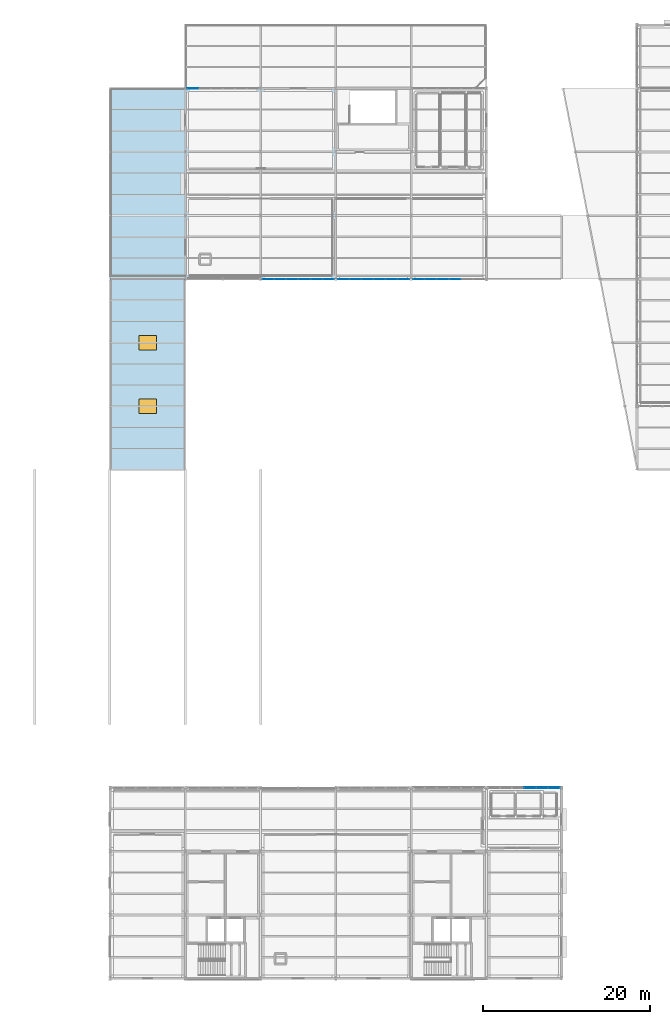
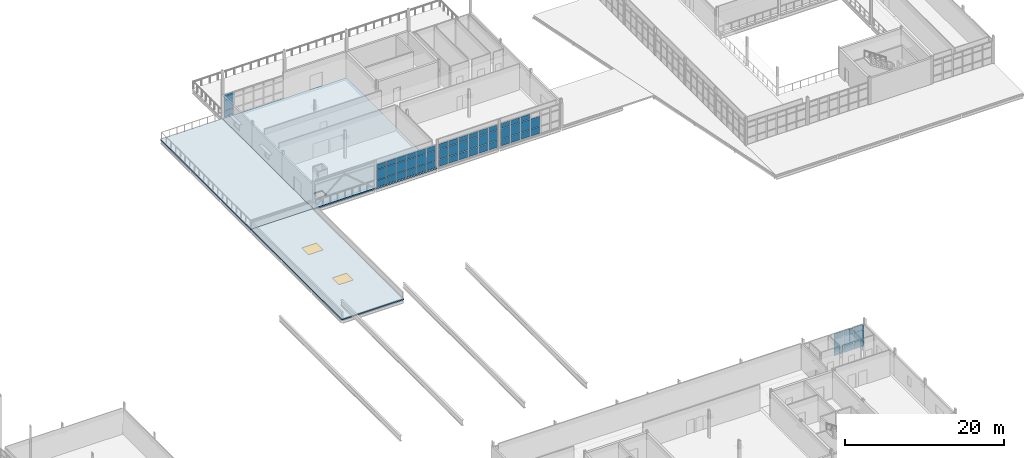
# One storey, part 70 of 96: 59 plates, 3 slabs, 2 windows, 2 openings, 5 elements without a shape of their own.
"""IFC4 building model written with IfcOpenShell, lengths in metres."""

import ifcopenshell
import ifcopenshell.guid

model = None  # the IFC model being written
_history = None  # IfcOwnerHistory: only IFC2X3 demands one
_inside = {}  # id of a spatial element -> (the spatial element, [elements in it])
_under = {}  # id of a project, library or spatial element -> (it, [spatial elements below it])
_declared = {}  # id of a project -> (the project, [libraries it declares])
_typed = {}  # id of a type object -> (the type object, [elements of that type])
_made_of = {}  # id of a material, layer set ... -> (it, [elements and type objects made of it])


def new_model(schema):
    """Start an empty IFC model of exactly this schema.

    Asked for "IFC4X3", IfcOpenShell would pick the latest addendum, in which some entities
    have other attributes; the version numbers below select the first issue.
    IFC2X3 requires an IfcOwnerHistory on every rooted entity: one is made here for all.
    """
    global model, _history
    if schema == "IFC4X3":
        model = ifcopenshell.file(schema_version=(4, 3, 0, 0))
    else:
        model = ifcopenshell.file(schema=schema)
    _inside.clear()
    _under.clear()
    _declared.clear()
    _typed.clear()
    _made_of.clear()
    _history = None
    if model.schema == "IFC2X3":
        org = make("IfcOrganization", Name="unknown")
        user = make(
            "IfcPersonAndOrganization",
            ThePerson=make("IfcPerson", FamilyName="unknown"),
            TheOrganization=org,
        )
        app = make(
            "IfcApplication",
            ApplicationDeveloper=org,
            Version="unknown",
            ApplicationFullName="unknown",
            ApplicationIdentifier="unknown",
        )
        _history = make(
            "IfcOwnerHistory",
            OwningUser=user,
            OwningApplication=app,
            ChangeAction="ADDED",
            CreationDate=0,
        )
    return model


def make(cls, **values):
    """One entity of the class cls with the attributes given. An attribute that is None is left unset."""
    return model.create_entity(
        cls, **{name: value for name, value in values.items() if value is not None}
    )


def rooted(cls, **values):
    """An entity with a GlobalId (a new one), such as an element, a storey or a relation."""
    return make(cls, GlobalId=ifcopenshell.guid.new(), OwnerHistory=_history, **values)


def si_unit(unit_type, name, prefix=None):
    """IfcSIUnit, for example si_unit("LENGTHUNIT", "METRE", prefix="MILLI")."""
    return make("IfcSIUnit", UnitType=unit_type, Prefix=prefix, Name=name)


def assignment(units):
    """IfcUnitAssignment: the units of a project."""
    return None if units is None else make("IfcUnitAssignment", Units=units)


def point(xyz):
    """IfcCartesianPoint."""
    return None if xyz is None else make("IfcCartesianPoint", Coordinates=xyz)


def direction(xyz):
    """IfcDirection."""
    return None if xyz is None else make("IfcDirection", DirectionRatios=xyz)


def frame(location, z_axis=None, x_axis=None):
    """IfcAxis2Placement3D, a coordinate frame: its origin and axes. An axis left out is left unset."""
    return make(
        "IfcAxis2Placement3D",
        Location=point(location),
        Axis=direction(z_axis),
        RefDirection=direction(x_axis),
    )


def frame_2d(location, x_axis=None):
    """IfcAxis2Placement2D, a coordinate frame in the plane: its origin and x axis."""
    return make(
        "IfcAxis2Placement2D", Location=point(location), RefDirection=direction(x_axis)
    )


def origin():
    """The frame at (0, 0, 0) with its axes left unset."""
    return frame((0.0, 0.0, 0.0))


def origin_2d():
    """The frame at (0, 0) in the plane with its x axis left unset."""
    return frame_2d((0.0, 0.0))


def place(relative_to, where):
    """IfcLocalPlacement: puts the frame where relative to a parent placement (None: the world)."""
    return make(
        "IfcLocalPlacement", PlacementRelTo=relative_to, RelativePlacement=where
    )


def context(
    kind, dimensions, precision=None, world=None, true_north=None, identifier=None
):
    """IfcGeometricRepresentationContext, for example the 3D "Model" context."""
    return make(
        "IfcGeometricRepresentationContext",
        ContextIdentifier=identifier,
        ContextType=kind,
        CoordinateSpaceDimension=dimensions,
        Precision=precision,
        WorldCoordinateSystem=world,
        TrueNorth=true_north,
    )


def subcontext(parent, identifier, kind, view, scale=None):
    """IfcGeometricRepresentationSubContext, for example "Body" below "Model"."""
    return make(
        "IfcGeometricRepresentationSubContext",
        ContextIdentifier=identifier,
        ContextType=kind,
        ParentContext=parent,
        TargetScale=scale,
        TargetView=view,
    )


def project(units=None, contexts=None):
    """IfcProject with its units and contexts."""
    return rooted(
        "IfcProject",
        Name="project",
        RepresentationContexts=contexts,
        UnitsInContext=assignment(units),
    )


def spatial(cls, under=None, at=None, **own):
    """A site, building, storey or space (cls), placed at a placement, below another one or the project."""
    s = rooted(cls, ObjectPlacement=at, **own)
    if under is not None:
        _under.setdefault(under.id(), (under, []))[1].append(s)
    return s


def polyline(points):
    """IfcPolyline through the points."""
    return make("IfcPolyline", Points=[point(p) for p in points])


def profile(cls, at=None, kind="AREA", **sizes):
    """A parametric profile (cls). Its sizes go by their IFC names, for example OverallWidth=200.0."""
    return make(cls, ProfileType=kind, Position=at, **sizes)


def rectangle(**sizes):
    """IfcRectangleProfileDef."""
    return profile("IfcRectangleProfileDef", **sizes)


def outline(outer, holes=None, kind="AREA"):
    """IfcArbitraryClosedProfileDef: a profile drawn as a closed curve; with holes, ...WithVoids."""
    if holes is None:
        return make("IfcArbitraryClosedProfileDef", ProfileType=kind, OuterCurve=outer)
    return make(
        "IfcArbitraryProfileDefWithVoids",
        ProfileType=kind,
        OuterCurve=outer,
        InnerCurves=holes,
    )


def extrude(swept, where, along, depth):
    """IfcExtrudedAreaSolid: the profile swept, set in the frame where, extruded along a direction by depth."""
    return make(
        "IfcExtrudedAreaSolid",
        SweptArea=swept,
        Position=where,
        ExtrudedDirection=direction(along),
        Depth=depth,
    )


def shape(context_of_items, identifier, shape_type, items):
    """IfcShapeRepresentation: the items that make up one representation, for example the "Body"."""
    return make(
        "IfcShapeRepresentation",
        ContextOfItems=context_of_items,
        RepresentationIdentifier=identifier,
        RepresentationType=shape_type,
        Items=items,
    )


def material(Name=None, Category=None):
    """IfcMaterial."""
    return make("IfcMaterial", Name=Name, Category=Category)


def layer(
    of_material, thickness, ventilated=None, Name=None, Category=None, Priority=None
):
    """IfcMaterialLayer: one layer of a wall or slab, of a material (None: an air gap)."""
    return make(
        "IfcMaterialLayer",
        Material=of_material,
        LayerThickness=thickness,
        IsVentilated=ventilated,
        Name=Name,
        Category=Category,
        Priority=Priority,
    )


def layer_set(layers, Name=None):
    """IfcMaterialLayerSet."""
    return make("IfcMaterialLayerSet", MaterialLayers=layers, LayerSetName=Name)


def made_of(thing, what):
    """Note that an element or type object is made of a material, layer set ...; save() writes the relation."""
    if what is not None:
        _made_of.setdefault(what.id(), (what, []))[1].append(thing)
    return thing


def type_object(cls, material=None, **own):
    """A type object (cls), such as IfcWallType, which elements share."""
    return made_of(rooted(cls, **own), material)


def element(
    cls,
    number,
    at=None,
    inside=None,
    cuts=None,
    type_object=None,
    material=None,
    context=None,
    identifier="Body",
    shape_type=None,
    held_by="IfcProductDefinitionShape",
    body=None,
    shapes=None,
    **own,
):
    """One element of the class cls, such as IfcWall. Its Tag is "e" and its number.

    at: its placement. inside: the storey or other place that contains it. cuts: it is an
    opening in that element (IfcRelVoidsElement). A single representation is given by context,
    identifier, shape_type and body (its items); several are given by shapes. held_by: the class
    of the entity that holds the representations. save() writes the other relations.
    """
    e = rooted(cls, Tag="e%d" % number, ObjectPlacement=at, **own)
    if body is not None:
        shapes = [shape(context, identifier, shape_type, body)]
    if shapes is not None:
        e.Representation = make(held_by, Representations=shapes)
    if inside is not None:
        _inside.setdefault(inside.id(), (inside, []))[1].append(e)
    if cuts is not None:
        rooted(
            "IfcRelVoidsElement", RelatingBuildingElement=cuts, RelatedOpeningElement=e
        )
    if type_object is not None:
        _typed.setdefault(type_object.id(), (type_object, []))[1].append(e)
    return made_of(e, material)


def fill(opening, filler):
    """IfcRelFillsElement: the door or window that sits in an opening."""
    return rooted(
        "IfcRelFillsElement",
        RelatingOpeningElement=opening,
        RelatedBuildingElement=filler,
    )


def aggregate(whole, parts):
    """IfcRelAggregates: a whole, such as a stair, and the parts it consists of."""
    return rooted("IfcRelAggregates", RelatingObject=whole, RelatedObjects=parts)


def save(model, path):
    """Write the relations noted so far, then the file.

    IfcRelAggregates (storeys below a building ...), IfcRelContainedInSpatialStructure (elements
    in a storey), IfcRelDefinesByType, IfcRelAssociatesMaterial and IfcRelDeclares: one each for
    every whole, place, type object, material and project.
    """
    for whole, parts in _under.values():
        aggregate(whole, parts)
    for where, things in _inside.values():
        rooted(
            "IfcRelContainedInSpatialStructure",
            RelatedElements=things,
            RelatingStructure=where,
        )
    for kind, things in _typed.values():
        rooted("IfcRelDefinesByType", RelatedObjects=things, RelatingType=kind)
    for what, things in _made_of.values():
        rooted("IfcRelAssociatesMaterial", RelatedObjects=things, RelatingMaterial=what)
    for by, libraries in _declared.values():
        rooted("IfcRelDeclares", RelatingContext=by, RelatedDefinitions=libraries)
    model.write(path)


model = new_model("IFC4")

# Units and contexts
model_context = context("Model", 3, precision=1e-05, world=origin(), true_north=direction((0.0, 1.0)))
body_context = subcontext(model_context, "Body", "Model", "MODEL_VIEW")
ifc_project = project(units=[si_unit("LENGTHUNIT", "METRE"), si_unit("AREAUNIT", "SQUARE_METRE"), si_unit("VOLUMEUNIT", "CUBIC_METRE"), si_unit("PLANEANGLEUNIT", "RADIAN"), si_unit("MASSUNIT", "GRAM", prefix="KILO")], contexts=[model_context])

# Site, building, storey
site_placement = place(None, origin())
site = spatial("IfcSite", under=ifc_project, at=site_placement, CompositionType="ELEMENT")
building_placement = place(site_placement, origin())
building = spatial("IfcBuilding", under=site, at=building_placement, Name="Caisbarro Railhouse Central Library", CompositionType="ELEMENT")
storey_placement = place(building_placement, frame((0.0, 0.0, 13.679931640625)))
storey = spatial("IfcBuildingStorey", under=building, at=storey_placement, Name="L03", CompositionType="ELEMENT", Elevation=13.679931640625)

# Curtain wall, plates
ifc_material_1 = material(Name="Anodised architectural aluminium", Category="aluminium")
curtain_wall_type_1 = type_object("IfcCurtainWallType", Name="CW-CW02", PredefinedType="NOTDEFINED", material=ifc_material_1)
curtain_wall_1_placement = place(storey_placement, origin())
curtain_wall_1 = element("IfcCurtainWall", 1, at=curtain_wall_1_placement, inside=storey, type_object=curtain_wall_type_1, Name="CW02 curtain wall L03 #188", PredefinedType="NOTDEFINED")
ifc_material_2 = material(Name="Double low-e laminated solar-control glass", Category="glass")
ifc_layer_1 = layer(ifc_material_2, 0.01806640625, Name="Double low-e laminated solar-control glass")
ifc_layer_set_1 = layer_set([ifc_layer_1], Name="Double low-e laminated solar-control glass")
plate_type_1 = type_object("IfcPlateType", Name="CWP-CP18", PredefinedType="CURTAIN_PANEL", material=ifc_layer_set_1)
plate_1_placement = place(storey_placement, frame((72.902099609375, 83.60009765625, 0.065185546875), z_axis=(0.0, 0.0, 1.0), x_axis=(1.0, 0.0, 0.0)))
plate_1 = element("IfcPlate", 2, at=plate_1_placement, type_object=plate_type_1, Name="CW02 panel 1.1", PredefinedType="CURTAIN_PANEL", context=body_context, shape_type="SweptSolid", body=[
    extrude(rectangle(XDim=1.334228515625, YDim=0.01806640625, at=origin_2d()), origin(), (0.0, 0.0, 1.0), 1.0224609375),
])
plate_2_placement = place(storey_placement, frame((72.902099609375, 83.60009765625, 1.152587890625), z_axis=(0.0, 0.0, 1.0), x_axis=(1.0, 0.0, 0.0)))
plate_2 = element("IfcPlate", 3, at=plate_2_placement, type_object=plate_type_1, Name="CW02 panel 1.2", PredefinedType="CURTAIN_PANEL", context=body_context, shape_type="SweptSolid", body=[
    extrude(rectangle(XDim=1.334228515625, YDim=0.01806640625, at=origin_2d()), origin(), (0.0, 0.0, 1.0), 1.544921875),
])
plate_3_placement = place(storey_placement, frame((72.902099609375, 83.60009765625, 2.7626953125), z_axis=(0.0, 0.0, 1.0), x_axis=(1.0, 0.0, 0.0)))
plate_3 = element("IfcPlate", 4, at=plate_3_placement, type_object=plate_type_1, Name="CW02 panel 1.3", PredefinedType="CURTAIN_PANEL", context=body_context, shape_type="SweptSolid", body=[
    extrude(rectangle(XDim=1.334228515625, YDim=0.01806640625, at=origin_2d()), origin(), (0.0, 0.0, 1.0), 0.75244140625),
])
plate_4_placement = place(storey_placement, frame((74.330078125, 83.60009765625, 0.065185546875), z_axis=(0.0, 0.0, 1.0), x_axis=(1.0, 0.0, 0.0)))
plate_4 = element("IfcPlate", 5, at=plate_4_placement, type_object=plate_type_1, Name="CW02 panel 2.1", PredefinedType="CURTAIN_PANEL", context=body_context, shape_type="SweptSolid", body=[
    extrude(rectangle(XDim=1.37158203125, YDim=0.01806640625, at=origin_2d()), origin(), (0.0, 0.0, 1.0), 1.0224609375),
])
plate_5_placement = place(storey_placement, frame((74.330078125, 83.60009765625, 1.152587890625), z_axis=(0.0, 0.0, 1.0), x_axis=(1.0, 0.0, 0.0)))
plate_5 = element("IfcPlate", 6, at=plate_5_placement, type_object=plate_type_1, Name="CW02 panel 2.2", PredefinedType="CURTAIN_PANEL", context=body_context, shape_type="SweptSolid", body=[
    extrude(rectangle(XDim=1.37158203125, YDim=0.01806640625, at=origin_2d()), origin(), (0.0, 0.0, 1.0), 1.544921875),
])
plate_6_placement = place(storey_placement, frame((74.330078125, 83.60009765625, 2.7626953125), z_axis=(0.0, 0.0, 1.0), x_axis=(1.0, 0.0, 0.0)))
plate_6 = element("IfcPlate", 7, at=plate_6_placement, type_object=plate_type_1, Name="CW02 panel 2.3", PredefinedType="CURTAIN_PANEL", context=body_context, shape_type="SweptSolid", body=[
    extrude(rectangle(XDim=1.37158203125, YDim=0.01806640625, at=origin_2d()), origin(), (0.0, 0.0, 1.0), 0.75244140625),
])
plate_7_placement = place(storey_placement, frame((75.776611328125, 83.60009765625, 0.065185546875), z_axis=(0.0, 0.0, 1.0), x_axis=(1.0, 0.0, 0.0)))
plate_7 = element("IfcPlate", 8, at=plate_7_placement, type_object=plate_type_1, Name="CW02 panel 3.1", PredefinedType="CURTAIN_PANEL", context=body_context, shape_type="SweptSolid", body=[
    extrude(rectangle(XDim=1.37158203125, YDim=0.01806640625, at=origin_2d()), origin(), (0.0, 0.0, 1.0), 1.0224609375),
])
plate_8_placement = place(storey_placement, frame((75.776611328125, 83.60009765625, 1.152587890625), z_axis=(0.0, 0.0, 1.0), x_axis=(1.0, 0.0, 0.0)))
plate_8 = element("IfcPlate", 9, at=plate_8_placement, type_object=plate_type_1, Name="CW02 panel 3.2", PredefinedType="CURTAIN_PANEL", context=body_context, shape_type="SweptSolid", body=[
    extrude(rectangle(XDim=1.37158203125, YDim=0.01806640625, at=origin_2d()), origin(), (0.0, 0.0, 1.0), 1.544921875),
])
plate_9_placement = place(storey_placement, frame((75.776611328125, 83.60009765625, 2.7626953125), z_axis=(0.0, 0.0, 1.0), x_axis=(1.0, 0.0, 0.0)))
plate_9 = element("IfcPlate", 10, at=plate_9_placement, type_object=plate_type_1, Name="CW02 panel 3.3", PredefinedType="CURTAIN_PANEL", context=body_context, shape_type="SweptSolid", body=[
    extrude(rectangle(XDim=1.37158203125, YDim=0.01806640625, at=origin_2d()), origin(), (0.0, 0.0, 1.0), 0.75244140625),
])
plate_10_placement = place(storey_placement, frame((77.223388671875, 83.60009765625, 0.065185546875), z_axis=(0.0, 0.0, 1.0), x_axis=(1.0, 0.0, 0.0)))
plate_10 = element("IfcPlate", 11, at=plate_10_placement, type_object=plate_type_1, Name="CW02 panel 4.1", PredefinedType="CURTAIN_PANEL", context=body_context, shape_type="SweptSolid", body=[
    extrude(rectangle(XDim=1.37158203125, YDim=0.01806640625, at=origin_2d()), origin(), (0.0, 0.0, 1.0), 1.0224609375),
])
plate_11_placement = place(storey_placement, frame((77.223388671875, 83.60009765625, 1.152587890625), z_axis=(0.0, 0.0, 1.0), x_axis=(1.0, 0.0, 0.0)))
plate_11 = element("IfcPlate", 12, at=plate_11_placement, type_object=plate_type_1, Name="CW02 panel 4.2", PredefinedType="CURTAIN_PANEL", context=body_context, shape_type="SweptSolid", body=[
    extrude(rectangle(XDim=1.37158203125, YDim=0.01806640625, at=origin_2d()), origin(), (0.0, 0.0, 1.0), 1.544921875),
])
plate_12_placement = place(storey_placement, frame((77.223388671875, 83.60009765625, 2.7626953125), z_axis=(0.0, 0.0, 1.0), x_axis=(1.0, 0.0, 0.0)))
plate_12 = element("IfcPlate", 13, at=plate_12_placement, type_object=plate_type_1, Name="CW02 panel 4.3", PredefinedType="CURTAIN_PANEL", context=body_context, shape_type="SweptSolid", body=[
    extrude(rectangle(XDim=1.37158203125, YDim=0.01806640625, at=origin_2d()), origin(), (0.0, 0.0, 1.0), 0.75244140625),
])
plate_13_placement = place(storey_placement, frame((78.669921875, 83.60009765625, 0.065185546875), z_axis=(0.0, 0.0, 1.0), x_axis=(1.0, 0.0, 0.0)))
plate_13 = element("IfcPlate", 14, at=plate_13_placement, type_object=plate_type_1, Name="CW02 panel 5.1", PredefinedType="CURTAIN_PANEL", context=body_context, shape_type="SweptSolid", body=[
    extrude(rectangle(XDim=1.37158203125, YDim=0.01806640625, at=origin_2d()), origin(), (0.0, 0.0, 1.0), 1.0224609375),
])
plate_14_placement = place(storey_placement, frame((78.669921875, 83.60009765625, 1.152587890625), z_axis=(0.0, 0.0, 1.0), x_axis=(1.0, 0.0, 0.0)))
plate_14 = element("IfcPlate", 15, at=plate_14_placement, type_object=plate_type_1, Name="CW02 panel 5.2", PredefinedType="CURTAIN_PANEL", context=body_context, shape_type="SweptSolid", body=[
    extrude(rectangle(XDim=1.37158203125, YDim=0.01806640625, at=origin_2d()), origin(), (0.0, 0.0, 1.0), 1.544921875),
])
plate_15_placement = place(storey_placement, frame((78.669921875, 83.60009765625, 2.7626953125), z_axis=(0.0, 0.0, 1.0), x_axis=(1.0, 0.0, 0.0)))
plate_15 = element("IfcPlate", 16, at=plate_15_placement, type_object=plate_type_1, Name="CW02 panel 5.3", PredefinedType="CURTAIN_PANEL", context=body_context, shape_type="SweptSolid", body=[
    extrude(rectangle(XDim=1.37158203125, YDim=0.01806640625, at=origin_2d()), origin(), (0.0, 0.0, 1.0), 0.75244140625),
])
plate_16_placement = place(storey_placement, frame((80.097900390625, 83.60009765625, 0.065185546875), z_axis=(0.0, 0.0, 1.0), x_axis=(1.0, 0.0, 0.0)))
plate_16 = element("IfcPlate", 17, at=plate_16_placement, type_object=plate_type_1, Name="CW02 panel 6.1", PredefinedType="CURTAIN_PANEL", context=body_context, shape_type="SweptSolid", body=[
    extrude(rectangle(XDim=1.334228515625, YDim=0.01806640625, at=origin_2d()), origin(), (0.0, 0.0, 1.0), 1.0224609375),
])
plate_17_placement = place(storey_placement, frame((80.097900390625, 83.60009765625, 1.152587890625), z_axis=(0.0, 0.0, 1.0), x_axis=(1.0, 0.0, 0.0)))
plate_17 = element("IfcPlate", 18, at=plate_17_placement, type_object=plate_type_1, Name="CW02 panel 6.2", PredefinedType="CURTAIN_PANEL", context=body_context, shape_type="SweptSolid", body=[
    extrude(rectangle(XDim=1.334228515625, YDim=0.01806640625, at=origin_2d()), origin(), (0.0, 0.0, 1.0), 1.544921875),
])
plate_18_placement = place(storey_placement, frame((80.097900390625, 83.60009765625, 2.7626953125), z_axis=(0.0, 0.0, 1.0), x_axis=(1.0, 0.0, 0.0)))
plate_18 = element("IfcPlate", 19, at=plate_18_placement, type_object=plate_type_1, Name="CW02 panel 6.3", PredefinedType="CURTAIN_PANEL", context=body_context, shape_type="SweptSolid", body=[
    extrude(rectangle(XDim=1.334228515625, YDim=0.01806640625, at=origin_2d()), origin(), (0.0, 0.0, 1.0), 0.75244140625),
])
aggregate(curtain_wall_1, [plate_1, plate_2, plate_3, plate_4, plate_5, plate_6, plate_7, plate_8, plate_9, plate_10, plate_11, plate_12, plate_13, plate_14, plate_15, plate_16, plate_17, plate_18])

curtain_wall_2_placement = place(storey_placement, origin())
curtain_wall_2 = element("IfcCurtainWall", 20, at=curtain_wall_2_placement, inside=storey, type_object=curtain_wall_type_1, Name="CW02 curtain wall L03 #189", PredefinedType="NOTDEFINED")
plate_19_placement = place(storey_placement, frame((81.902099609375, 83.60009765625, 0.065185546875), z_axis=(0.0, 0.0, 1.0), x_axis=(1.0, 0.0, 0.0)))
plate_19 = element("IfcPlate", 21, at=plate_19_placement, type_object=plate_type_1, Name="CW02 panel 1.1", PredefinedType="CURTAIN_PANEL", context=body_context, shape_type="SweptSolid", body=[
    extrude(rectangle(XDim=1.334228515625, YDim=0.01806640625, at=origin_2d()), origin(), (0.0, 0.0, 1.0), 1.0224609375),
])
plate_20_placement = place(storey_placement, frame((81.902099609375, 83.60009765625, 1.152587890625), z_axis=(0.0, 0.0, 1.0), x_axis=(1.0, 0.0, 0.0)))
plate_20 = element("IfcPlate", 22, at=plate_20_placement, type_object=plate_type_1, Name="CW02 panel 1.2", PredefinedType="CURTAIN_PANEL", context=body_context, shape_type="SweptSolid", body=[
    extrude(rectangle(XDim=1.334228515625, YDim=0.01806640625, at=origin_2d()), origin(), (0.0, 0.0, 1.0), 1.544921875),
])
plate_21_placement = place(storey_placement, frame((81.902099609375, 83.60009765625, 2.7626953125), z_axis=(0.0, 0.0, 1.0), x_axis=(1.0, 0.0, 0.0)))
plate_21 = element("IfcPlate", 23, at=plate_21_placement, type_object=plate_type_1, Name="CW02 panel 1.3", PredefinedType="CURTAIN_PANEL", context=body_context, shape_type="SweptSolid", body=[
    extrude(rectangle(XDim=1.334228515625, YDim=0.01806640625, at=origin_2d()), origin(), (0.0, 0.0, 1.0), 0.75244140625),
])
plate_22_placement = place(storey_placement, frame((83.330078125, 83.60009765625, 0.065185546875), z_axis=(0.0, 0.0, 1.0), x_axis=(1.0, 0.0, 0.0)))
plate_22 = element("IfcPlate", 24, at=plate_22_placement, type_object=plate_type_1, Name="CW02 panel 2.1", PredefinedType="CURTAIN_PANEL", context=body_context, shape_type="SweptSolid", body=[
    extrude(rectangle(XDim=1.37158203125, YDim=0.01806640625, at=origin_2d()), origin(), (0.0, 0.0, 1.0), 1.0224609375),
])
plate_23_placement = place(storey_placement, frame((83.330078125, 83.60009765625, 1.152587890625), z_axis=(0.0, 0.0, 1.0), x_axis=(1.0, 0.0, 0.0)))
plate_23 = element("IfcPlate", 25, at=plate_23_placement, type_object=plate_type_1, Name="CW02 panel 2.2", PredefinedType="CURTAIN_PANEL", context=body_context, shape_type="SweptSolid", body=[
    extrude(rectangle(XDim=1.37158203125, YDim=0.01806640625, at=origin_2d()), origin(), (0.0, 0.0, 1.0), 1.544921875),
])
plate_24_placement = place(storey_placement, frame((83.330078125, 83.60009765625, 2.7626953125), z_axis=(0.0, 0.0, 1.0), x_axis=(1.0, 0.0, 0.0)))
plate_24 = element("IfcPlate", 26, at=plate_24_placement, type_object=plate_type_1, Name="CW02 panel 2.3", PredefinedType="CURTAIN_PANEL", context=body_context, shape_type="SweptSolid", body=[
    extrude(rectangle(XDim=1.37158203125, YDim=0.01806640625, at=origin_2d()), origin(), (0.0, 0.0, 1.0), 0.75244140625),
])
plate_25_placement = place(storey_placement, frame((84.776611328125, 83.60009765625, 0.065185546875), z_axis=(0.0, 0.0, 1.0), x_axis=(1.0, 0.0, 0.0)))
plate_25 = element("IfcPlate", 27, at=plate_25_placement, type_object=plate_type_1, Name="CW02 panel 3.1", PredefinedType="CURTAIN_PANEL", context=body_context, shape_type="SweptSolid", body=[
    extrude(rectangle(XDim=1.37158203125, YDim=0.01806640625, at=origin_2d()), origin(), (0.0, 0.0, 1.0), 1.0224609375),
])
plate_26_placement = place(storey_placement, frame((84.776611328125, 83.60009765625, 1.152587890625), z_axis=(0.0, 0.0, 1.0), x_axis=(1.0, 0.0, 0.0)))
plate_26 = element("IfcPlate", 28, at=plate_26_placement, type_object=plate_type_1, Name="CW02 panel 3.2", PredefinedType="CURTAIN_PANEL", context=body_context, shape_type="SweptSolid", body=[
    extrude(rectangle(XDim=1.37158203125, YDim=0.01806640625, at=origin_2d()), origin(), (0.0, 0.0, 1.0), 1.544921875),
])
plate_27_placement = place(storey_placement, frame((84.776611328125, 83.60009765625, 2.7626953125), z_axis=(0.0, 0.0, 1.0), x_axis=(1.0, 0.0, 0.0)))
plate_27 = element("IfcPlate", 29, at=plate_27_placement, type_object=plate_type_1, Name="CW02 panel 3.3", PredefinedType="CURTAIN_PANEL", context=body_context, shape_type="SweptSolid", body=[
    extrude(rectangle(XDim=1.37158203125, YDim=0.01806640625, at=origin_2d()), origin(), (0.0, 0.0, 1.0), 0.75244140625),
])
plate_28_placement = place(storey_placement, frame((86.223388671875, 83.60009765625, 0.065185546875), z_axis=(0.0, 0.0, 1.0), x_axis=(1.0, 0.0, 0.0)))
plate_28 = element("IfcPlate", 30, at=plate_28_placement, type_object=plate_type_1, Name="CW02 panel 4.1", PredefinedType="CURTAIN_PANEL", context=body_context, shape_type="SweptSolid", body=[
    extrude(rectangle(XDim=1.37158203125, YDim=0.01806640625, at=origin_2d()), origin(), (0.0, 0.0, 1.0), 1.0224609375),
])
plate_29_placement = place(storey_placement, frame((86.223388671875, 83.60009765625, 1.152587890625), z_axis=(0.0, 0.0, 1.0), x_axis=(1.0, 0.0, 0.0)))
plate_29 = element("IfcPlate", 31, at=plate_29_placement, type_object=plate_type_1, Name="CW02 panel 4.2", PredefinedType="CURTAIN_PANEL", context=body_context, shape_type="SweptSolid", body=[
    extrude(rectangle(XDim=1.37158203125, YDim=0.01806640625, at=origin_2d()), origin(), (0.0, 0.0, 1.0), 1.544921875),
])
plate_30_placement = place(storey_placement, frame((86.223388671875, 83.60009765625, 2.7626953125), z_axis=(0.0, 0.0, 1.0), x_axis=(1.0, 0.0, 0.0)))
plate_30 = element("IfcPlate", 32, at=plate_30_placement, type_object=plate_type_1, Name="CW02 panel 4.3", PredefinedType="CURTAIN_PANEL", context=body_context, shape_type="SweptSolid", body=[
    extrude(rectangle(XDim=1.37158203125, YDim=0.01806640625, at=origin_2d()), origin(), (0.0, 0.0, 1.0), 0.75244140625),
])
plate_31_placement = place(storey_placement, frame((87.669921875, 83.60009765625, 0.065185546875), z_axis=(0.0, 0.0, 1.0), x_axis=(1.0, 0.0, 0.0)))
plate_31 = element("IfcPlate", 33, at=plate_31_placement, type_object=plate_type_1, Name="CW02 panel 5.1", PredefinedType="CURTAIN_PANEL", context=body_context, shape_type="SweptSolid", body=[
    extrude(rectangle(XDim=1.37158203125, YDim=0.01806640625, at=origin_2d()), origin(), (0.0, 0.0, 1.0), 1.0224609375),
])
plate_32_placement = place(storey_placement, frame((87.669921875, 83.60009765625, 1.152587890625), z_axis=(0.0, 0.0, 1.0), x_axis=(1.0, 0.0, 0.0)))
plate_32 = element("IfcPlate", 34, at=plate_32_placement, type_object=plate_type_1, Name="CW02 panel 5.2", PredefinedType="CURTAIN_PANEL", context=body_context, shape_type="SweptSolid", body=[
    extrude(rectangle(XDim=1.37158203125, YDim=0.01806640625, at=origin_2d()), origin(), (0.0, 0.0, 1.0), 1.544921875),
])
plate_33_placement = place(storey_placement, frame((87.669921875, 83.60009765625, 2.7626953125), z_axis=(0.0, 0.0, 1.0), x_axis=(1.0, 0.0, 0.0)))
plate_33 = element("IfcPlate", 35, at=plate_33_placement, type_object=plate_type_1, Name="CW02 panel 5.3", PredefinedType="CURTAIN_PANEL", context=body_context, shape_type="SweptSolid", body=[
    extrude(rectangle(XDim=1.37158203125, YDim=0.01806640625, at=origin_2d()), origin(), (0.0, 0.0, 1.0), 0.75244140625),
])
plate_34_placement = place(storey_placement, frame((89.097900390625, 83.60009765625, 0.065185546875), z_axis=(0.0, 0.0, 1.0), x_axis=(1.0, 0.0, 0.0)))
plate_34 = element("IfcPlate", 36, at=plate_34_placement, type_object=plate_type_1, Name="CW02 panel 6.1", PredefinedType="CURTAIN_PANEL", context=body_context, shape_type="SweptSolid", body=[
    extrude(rectangle(XDim=1.334228515625, YDim=0.01806640625, at=origin_2d()), origin(), (0.0, 0.0, 1.0), 1.0224609375),
])
plate_35_placement = place(storey_placement, frame((89.097900390625, 83.60009765625, 1.152587890625), z_axis=(0.0, 0.0, 1.0), x_axis=(1.0, 0.0, 0.0)))
plate_35 = element("IfcPlate", 37, at=plate_35_placement, type_object=plate_type_1, Name="CW02 panel 6.2", PredefinedType="CURTAIN_PANEL", context=body_context, shape_type="SweptSolid", body=[
    extrude(rectangle(XDim=1.334228515625, YDim=0.01806640625, at=origin_2d()), origin(), (0.0, 0.0, 1.0), 1.544921875),
])
plate_36_placement = place(storey_placement, frame((89.097900390625, 83.60009765625, 2.7626953125), z_axis=(0.0, 0.0, 1.0), x_axis=(1.0, 0.0, 0.0)))
plate_36 = element("IfcPlate", 38, at=plate_36_placement, type_object=plate_type_1, Name="CW02 panel 6.3", PredefinedType="CURTAIN_PANEL", context=body_context, shape_type="SweptSolid", body=[
    extrude(rectangle(XDim=1.334228515625, YDim=0.01806640625, at=origin_2d()), origin(), (0.0, 0.0, 1.0), 0.75244140625),
])
aggregate(curtain_wall_2, [plate_19, plate_20, plate_21, plate_22, plate_23, plate_24, plate_25, plate_26, plate_27, plate_28, plate_29, plate_30, plate_31, plate_32, plate_33, plate_34, plate_35, plate_36])

curtain_wall_3_placement = place(storey_placement, origin())
curtain_wall_3 = element("IfcCurtainWall", 39, at=curtain_wall_3_placement, inside=storey, type_object=curtain_wall_type_1, Name="CW02 curtain wall L03 #190", PredefinedType="NOTDEFINED")
plate_37_placement = place(storey_placement, frame((90.902099609375, 83.60009765625, 0.065185546875), z_axis=(0.0, 0.0, 1.0), x_axis=(1.0, 0.0, 0.0)))
plate_37 = element("IfcPlate", 40, at=plate_37_placement, type_object=plate_type_1, Name="CW02 panel 1.1", PredefinedType="CURTAIN_PANEL", context=body_context, shape_type="SweptSolid", body=[
    extrude(rectangle(XDim=1.334228515625, YDim=0.01806640625, at=origin_2d()), origin(), (0.0, 0.0, 1.0), 1.0224609375),
])
plate_38_placement = place(storey_placement, frame((90.902099609375, 83.60009765625, 1.152587890625), z_axis=(0.0, 0.0, 1.0), x_axis=(1.0, 0.0, 0.0)))
plate_38 = element("IfcPlate", 41, at=plate_38_placement, type_object=plate_type_1, Name="CW02 panel 1.2", PredefinedType="CURTAIN_PANEL", context=body_context, shape_type="SweptSolid", body=[
    extrude(rectangle(XDim=1.334228515625, YDim=0.01806640625, at=origin_2d()), origin(), (0.0, 0.0, 1.0), 1.544921875),
])
plate_39_placement = place(storey_placement, frame((90.902099609375, 83.60009765625, 2.7626953125), z_axis=(0.0, 0.0, 1.0), x_axis=(1.0, 0.0, 0.0)))
plate_39 = element("IfcPlate", 42, at=plate_39_placement, type_object=plate_type_1, Name="CW02 panel 1.3", PredefinedType="CURTAIN_PANEL", context=body_context, shape_type="SweptSolid", body=[
    extrude(rectangle(XDim=1.334228515625, YDim=0.01806640625, at=origin_2d()), origin(), (0.0, 0.0, 1.0), 0.75244140625),
])
plate_40_placement = place(storey_placement, frame((92.330078125, 83.60009765625, 0.065185546875), z_axis=(0.0, 0.0, 1.0), x_axis=(1.0, 0.0, 0.0)))
plate_40 = element("IfcPlate", 43, at=plate_40_placement, type_object=plate_type_1, Name="CW02 panel 2.1", PredefinedType="CURTAIN_PANEL", context=body_context, shape_type="SweptSolid", body=[
    extrude(rectangle(XDim=1.37158203125, YDim=0.01806640625, at=origin_2d()), origin(), (0.0, 0.0, 1.0), 1.0224609375),
])
plate_41_placement = place(storey_placement, frame((92.330078125, 83.60009765625, 1.152587890625), z_axis=(0.0, 0.0, 1.0), x_axis=(1.0, 0.0, 0.0)))
plate_41 = element("IfcPlate", 44, at=plate_41_placement, type_object=plate_type_1, Name="CW02 panel 2.2", PredefinedType="CURTAIN_PANEL", context=body_context, shape_type="SweptSolid", body=[
    extrude(rectangle(XDim=1.37158203125, YDim=0.01806640625, at=origin_2d()), origin(), (0.0, 0.0, 1.0), 1.544921875),
])
plate_42_placement = place(storey_placement, frame((92.330078125, 83.60009765625, 2.7626953125), z_axis=(0.0, 0.0, 1.0), x_axis=(1.0, 0.0, 0.0)))
plate_42 = element("IfcPlate", 45, at=plate_42_placement, type_object=plate_type_1, Name="CW02 panel 2.3", PredefinedType="CURTAIN_PANEL", context=body_context, shape_type="SweptSolid", body=[
    extrude(rectangle(XDim=1.37158203125, YDim=0.01806640625, at=origin_2d()), origin(), (0.0, 0.0, 1.0), 0.75244140625),
])
plate_43_placement = place(storey_placement, frame((93.776611328125, 83.60009765625, 0.065185546875), z_axis=(0.0, 0.0, 1.0), x_axis=(1.0, 0.0, 0.0)))
plate_43 = element("IfcPlate", 46, at=plate_43_placement, type_object=plate_type_1, Name="CW02 panel 3.1", PredefinedType="CURTAIN_PANEL", context=body_context, shape_type="SweptSolid", body=[
    extrude(rectangle(XDim=1.37158203125, YDim=0.01806640625, at=origin_2d()), origin(), (0.0, 0.0, 1.0), 1.0224609375),
])
plate_44_placement = place(storey_placement, frame((93.776611328125, 83.60009765625, 1.152587890625), z_axis=(0.0, 0.0, 1.0), x_axis=(1.0, 0.0, 0.0)))
plate_44 = element("IfcPlate", 47, at=plate_44_placement, type_object=plate_type_1, Name="CW02 panel 3.2", PredefinedType="CURTAIN_PANEL", context=body_context, shape_type="SweptSolid", body=[
    extrude(rectangle(XDim=1.37158203125, YDim=0.01806640625, at=origin_2d()), origin(), (0.0, 0.0, 1.0), 1.544921875),
])
plate_45_placement = place(storey_placement, frame((93.776611328125, 83.60009765625, 2.7626953125), z_axis=(0.0, 0.0, 1.0), x_axis=(1.0, 0.0, 0.0)))
plate_45 = element("IfcPlate", 48, at=plate_45_placement, type_object=plate_type_1, Name="CW02 panel 3.3", PredefinedType="CURTAIN_PANEL", context=body_context, shape_type="SweptSolid", body=[
    extrude(rectangle(XDim=1.37158203125, YDim=0.01806640625, at=origin_2d()), origin(), (0.0, 0.0, 1.0), 0.75244140625),
])
plate_46_placement = place(storey_placement, frame((95.223388671875, 83.60009765625, 0.065185546875), z_axis=(0.0, 0.0, 1.0), x_axis=(1.0, 0.0, 0.0)))
plate_46 = element("IfcPlate", 49, at=plate_46_placement, type_object=plate_type_1, Name="CW02 panel 4.1", PredefinedType="CURTAIN_PANEL", context=body_context, shape_type="SweptSolid", body=[
    extrude(rectangle(XDim=1.37158203125, YDim=0.01806640625, at=origin_2d()), origin(), (0.0, 0.0, 1.0), 1.0224609375),
])
plate_47_placement = place(storey_placement, frame((95.223388671875, 83.60009765625, 1.152587890625), z_axis=(0.0, 0.0, 1.0), x_axis=(1.0, 0.0, 0.0)))
plate_47 = element("IfcPlate", 50, at=plate_47_placement, type_object=plate_type_1, Name="CW02 panel 4.2", PredefinedType="CURTAIN_PANEL", context=body_context, shape_type="SweptSolid", body=[
    extrude(rectangle(XDim=1.37158203125, YDim=0.01806640625, at=origin_2d()), origin(), (0.0, 0.0, 1.0), 1.544921875),
])
aggregate(curtain_wall_3, [plate_37, plate_38, plate_39, plate_40, plate_41, plate_42, plate_43, plate_44, plate_45, plate_46, plate_47])

curtain_wall_type_2 = type_object("IfcCurtainWallType", Name="CW-CW03", PredefinedType="NOTDEFINED", material=ifc_material_1)
curtain_wall_4_placement = place(storey_placement, origin())
curtain_wall_4 = element("IfcCurtainWall", 51, at=curtain_wall_4_placement, inside=storey, type_object=curtain_wall_type_2, Name="CW03 curtain wall L03 #187", PredefinedType="NOTDEFINED")
ifc_layer_2 = layer(ifc_material_2, 0.0380859375, Name="Double low-e laminated solar-control glass")
ifc_layer_set_2 = layer_set([ifc_layer_2], Name="Double low-e laminated solar-control glass")
plate_type_2 = type_object("IfcPlateType", Name="CWP-CP38", PredefinedType="CURTAIN_PANEL", material=ifc_layer_set_2)
plate_48_placement = place(storey_placement, frame((63.899658203125, 106.39990234375, 0.0751953125), z_axis=(0.0, 0.0, 1.0), x_axis=(1.0, 0.0, 0.0)))
plate_48 = element("IfcPlate", 52, at=plate_48_placement, type_object=plate_type_2, Name="CW03 panel 1.1", PredefinedType="CURTAIN_PANEL", context=body_context, shape_type="SweptSolid", body=[
    extrude(rectangle(XDim=1.34912109375, YDim=0.0380859375, at=origin_2d()), origin(), (0.0, 0.0, 1.0), 1.007568359375),
])
plate_49_placement = place(storey_placement, frame((63.899658203125, 106.39990234375, 1.15771484375), z_axis=(0.0, 0.0, 1.0), x_axis=(1.0, 0.0, 0.0)))
plate_49 = element("IfcPlate", 53, at=plate_49_placement, type_object=plate_type_2, Name="CW03 panel 1.2", PredefinedType="CURTAIN_PANEL", context=body_context, shape_type="SweptSolid", body=[
    extrude(rectangle(XDim=1.34912109375, YDim=0.0380859375, at=origin_2d()), origin(), (0.0, 0.0, 1.0), 1.534912109375),
])
plate_50_placement = place(storey_placement, frame((63.899658203125, 106.39990234375, 2.767578125), z_axis=(0.0, 0.0, 1.0), x_axis=(1.0, 0.0, 0.0)))
plate_50 = element("IfcPlate", 54, at=plate_50_placement, type_object=plate_type_2, Name="CW03 panel 1.3", PredefinedType="CURTAIN_PANEL", context=body_context, shape_type="SweptSolid", body=[
    extrude(rectangle(XDim=1.34912109375, YDim=0.0380859375, at=origin_2d()), origin(), (0.0, 0.0, 1.0), 0.737548828125),
])
aggregate(curtain_wall_4, [plate_48, plate_49, plate_50])

curtain_wall_5_placement = place(storey_placement, origin())
curtain_wall_5 = element("IfcCurtainWall", 55, at=curtain_wall_5_placement, inside=storey, type_object=curtain_wall_type_1, Name="CW02 curtain wall L03 #66", PredefinedType="NOTDEFINED")
ifc_layer_3 = layer(ifc_material_2, 0.068115234375, Name="Double low-e laminated solar-control glass")
ifc_layer_set_3 = layer_set([ifc_layer_3], Name="Double low-e laminated solar-control glass")
plate_type_3 = type_object("IfcPlateType", Name="CWP-CP68", PredefinedType="CURTAIN_PANEL", material=ifc_layer_set_3)
plate_51_placement = place(storey_placement, frame((104.223388671875, 22.800048828125, 0.0751953125), z_axis=(0.0, 0.0, 1.0), x_axis=(1.0, 0.0, 0.0)))
plate_51 = element("IfcPlate", 56, at=plate_51_placement, type_object=plate_type_3, Name="CW02 panel 4.1", PredefinedType="CURTAIN_PANEL", context=body_context, shape_type="SweptSolid", body=[
    extrude(rectangle(XDim=1.381591796875, YDim=0.068115234375, at=origin_2d()), origin(), (0.0, 0.0, 1.0), 1.007568359375),
])
plate_52_placement = place(storey_placement, frame((104.223388671875, 22.800048828125, 1.15771484375), z_axis=(0.0, 0.0, 1.0), x_axis=(1.0, 0.0, 0.0)))
plate_52 = element("IfcPlate", 57, at=plate_52_placement, type_object=plate_type_3, Name="CW02 panel 4.2", PredefinedType="CURTAIN_PANEL", context=body_context, shape_type="SweptSolid", body=[
    extrude(rectangle(XDim=1.381591796875, YDim=0.068115234375, at=origin_2d()), origin(), (0.0, 0.0, 1.0), 1.465087890625),
])
plate_53_placement = place(storey_placement, frame((104.223388671875, 22.800048828125, 2.69775390625), z_axis=(0.0, 0.0, 1.0), x_axis=(1.0, 0.0, 0.0)))
plate_53 = element("IfcPlate", 58, at=plate_53_placement, type_object=plate_type_3, Name="CW02 panel 4.3", PredefinedType="CURTAIN_PANEL", context=body_context, shape_type="SweptSolid", body=[
    extrude(rectangle(XDim=1.381591796875, YDim=0.068115234375, at=origin_2d()), origin(), (0.0, 0.0, 1.0), 0.737548828125),
])
plate_54_placement = place(storey_placement, frame((105.669921875, 22.800048828125, 0.0751953125), z_axis=(0.0, 0.0, 1.0), x_axis=(1.0, 0.0, 0.0)))
plate_54 = element("IfcPlate", 59, at=plate_54_placement, type_object=plate_type_3, Name="CW02 panel 5.1", PredefinedType="CURTAIN_PANEL", context=body_context, shape_type="SweptSolid", body=[
    extrude(rectangle(XDim=1.381591796875, YDim=0.068115234375, at=origin_2d()), origin(), (0.0, 0.0, 1.0), 1.007568359375),
])
plate_55_placement = place(storey_placement, frame((105.669921875, 22.800048828125, 1.15771484375), z_axis=(0.0, 0.0, 1.0), x_axis=(1.0, 0.0, 0.0)))
plate_55 = element("IfcPlate", 60, at=plate_55_placement, type_object=plate_type_3, Name="CW02 panel 5.2", PredefinedType="CURTAIN_PANEL", context=body_context, shape_type="SweptSolid", body=[
    extrude(rectangle(XDim=1.381591796875, YDim=0.068115234375, at=origin_2d()), origin(), (0.0, 0.0, 1.0), 1.465087890625),
])
plate_56_placement = place(storey_placement, frame((105.669921875, 22.800048828125, 2.69775390625), z_axis=(0.0, 0.0, 1.0), x_axis=(1.0, 0.0, 0.0)))
plate_56 = element("IfcPlate", 61, at=plate_56_placement, type_object=plate_type_3, Name="CW02 panel 5.3", PredefinedType="CURTAIN_PANEL", context=body_context, shape_type="SweptSolid", body=[
    extrude(rectangle(XDim=1.381591796875, YDim=0.068115234375, at=origin_2d()), origin(), (0.0, 0.0, 1.0), 0.737548828125),
])
plate_57_placement = place(storey_placement, frame((107.100341796875, 22.800048828125, 0.0751953125), z_axis=(0.0, 0.0, 1.0), x_axis=(1.0, 0.0, 0.0)))
plate_57 = element("IfcPlate", 62, at=plate_57_placement, type_object=plate_type_3, Name="CW02 panel 6.1", PredefinedType="CURTAIN_PANEL", context=body_context, shape_type="SweptSolid", body=[
    extrude(rectangle(XDim=1.34912109375, YDim=0.068115234375, at=origin_2d()), origin(), (0.0, 0.0, 1.0), 1.007568359375),
])
plate_58_placement = place(storey_placement, frame((107.100341796875, 22.800048828125, 1.15771484375), z_axis=(0.0, 0.0, 1.0), x_axis=(1.0, 0.0, 0.0)))
plate_58 = element("IfcPlate", 63, at=plate_58_placement, type_object=plate_type_3, Name="CW02 panel 6.2", PredefinedType="CURTAIN_PANEL", context=body_context, shape_type="SweptSolid", body=[
    extrude(rectangle(XDim=1.34912109375, YDim=0.068115234375, at=origin_2d()), origin(), (0.0, 0.0, 1.0), 1.465087890625),
])
plate_59_placement = place(storey_placement, frame((107.100341796875, 22.800048828125, 2.69775390625), z_axis=(0.0, 0.0, 1.0), x_axis=(1.0, 0.0, 0.0)))
plate_59 = element("IfcPlate", 64, at=plate_59_placement, type_object=plate_type_3, Name="CW02 panel 6.3", PredefinedType="CURTAIN_PANEL", context=body_context, shape_type="SweptSolid", body=[
    extrude(rectangle(XDim=1.34912109375, YDim=0.068115234375, at=origin_2d()), origin(), (0.0, 0.0, 1.0), 0.737548828125),
])
aggregate(curtain_wall_5, [plate_51, plate_52, plate_53, plate_54, plate_55, plate_56, plate_57, plate_58, plate_59])

# Slabs
ifc_material_3 = material(Name="Concrete C35", Category="concrete")
ifc_layer_4 = layer(ifc_material_3, 0.199951171875, Name="Concrete C35")
ifc_layer_set_4 = layer_set([ifc_layer_4], Name="Concrete C35")
slab_type_1 = type_object("IfcSlabType", Name="SLB-FL20", PredefinedType="FLOOR", material=ifc_layer_set_4)
slab_1_placement = place(storey_placement, frame((0.0, 0.0, -0.199951171875)))
element("IfcSlab", 65, at=slab_1_placement, inside=storey, type_object=slab_type_1, Name="SF20 structural slab L03 V6.1", PredefinedType="FLOOR", context=body_context, shape_type="SweptSolid", body=[
    extrude(outline(polyline([(63.0, 83.60009765625), (81.0, 83.60009765625), (81.0, 106.39990234375), (63.0, 106.39990234375), (63.0, 83.60009765625)]), holes=[polyline([(64.800048828125, 85.39990234375), (65.9599609375, 85.39990234375), (65.9599609375, 86.52001953125), (64.800048828125, 86.52001953125), (64.800048828125, 85.39990234375)])]), origin(), (0.0, 0.0, 1.0), 0.199951171875),
])
ifc_layer_5 = layer(ifc_material_3, 0.1298828125, Name="Concrete C35")
ifc_layer_set_5 = layer_set([ifc_layer_5], Name="Concrete C35")
slab_type_2 = type_object("IfcSlabType", Name="SLB-RF13", PredefinedType="ROOF", material=ifc_layer_set_5)
slab_2_placement = place(storey_placement, frame((0.0, 0.0, -0.179931640625)))
element("IfcSlab", 66, at=slab_2_placement, inside=storey, type_object=slab_type_2, Name="V6 West Terrace Roof Slab", PredefinedType="ROOF", context=body_context, shape_type="SweptSolid", body=[
    extrude(outline(polyline([(54.0, 83.60009765625), (63.0, 83.60009765625), (63.0, 106.39990234375), (54.0, 106.39990234375), (54.0, 83.60009765625)])), origin(), (0.0, 0.0, 1.0), 0.179931640625),
])

# Slab, openings, windows
ifc_layer_6 = layer(ifc_material_3, 0.179931640625, Name="Concrete C35")
ifc_layer_set_6 = layer_set([ifc_layer_6], Name="Concrete C35")
slab_type_3 = type_object("IfcSlabType", Name="SLB-RF18", PredefinedType="ROOF", material=ifc_layer_set_6)
slab_3_placement = place(storey_placement, frame((0.0, 0.0, -0.179931640625)))
slab_3 = element("IfcSlab", 67, at=slab_3_placement, inside=storey, type_object=slab_type_3, Name="Courtyard Bridge Roof Slab BRG-W", PredefinedType="ROOF", context=body_context, shape_type="SweptSolid", body=[
    extrude(outline(polyline([(54.0, 60.800048828125), (63.0, 60.800048828125), (63.0, 83.60009765625), (54.0, 83.60009765625), (54.0, 60.800048828125)])), origin(), (0.0, 0.0, 1.0), 0.179931640625),
])
opening_1_placement = place(slab_3_placement, frame((58.5, 68.39990234375, -0.010009765625)))
opening_1 = element("IfcOpeningElement", 68, at=opening_1_placement, cuts=slab_3, Name="Opening SK04", PredefinedType="OPENING", context=body_context, shape_type="SweptSolid", body=[
    extrude(rectangle(XDim=2.10009765625, YDim=1.699951171875, at=origin_2d()), origin(), (0.0, 0.0, 1.0), 0.199951171875),
])
opening_2_placement = place(slab_3_placement, frame((58.5, 76.0, -0.010009765625)))
opening_2 = element("IfcOpeningElement", 69, at=opening_2_placement, cuts=slab_3, Name="Opening SK04", PredefinedType="OPENING", context=body_context, shape_type="SweptSolid", body=[
    extrude(rectangle(XDim=2.10009765625, YDim=1.699951171875, at=origin_2d()), origin(), (0.0, 0.0, 1.0), 0.199951171875),
])
ifc_material_4 = material(Name="Laminated acoustic skylight glass", Category="glass")
window_type = type_object("IfcWindowType", Name="WIN-SK04", PartitioningType="SINGLE_PANEL", PredefinedType="SKYLIGHT", material=ifc_material_4)
window_1_placement = place(slab_3_placement, frame((58.5, 68.39990234375, 0.1298828125)))
window_1 = element("IfcWindow", 70, at=window_1_placement, inside=storey, type_object=window_type, Name="SK04 roof skylight 14", OverallHeight=1.699951171875, OverallWidth=2.10009765625, PartitioningType="SINGLE_PANEL", PredefinedType="SKYLIGHT", context=body_context, shape_type="SweptSolid", body=[
    extrude(rectangle(XDim=2.10009765625, YDim=1.699951171875, at=origin_2d()), origin(), (0.0, 0.0, 1.0), 0.050048828125),
])
fill(opening_1, window_1)
window_2_placement = place(slab_3_placement, frame((58.5, 76.0, 0.1298828125)))
window_2 = element("IfcWindow", 71, at=window_2_placement, inside=storey, type_object=window_type, Name="SK04 roof skylight 15", OverallHeight=1.699951171875, OverallWidth=2.10009765625, PartitioningType="SINGLE_PANEL", PredefinedType="SKYLIGHT", context=body_context, shape_type="SweptSolid", body=[
    extrude(rectangle(XDim=2.10009765625, YDim=1.699951171875, at=origin_2d()), origin(), (0.0, 0.0, 1.0), 0.050048828125),
])
fill(opening_2, window_2)

save(model, "model.ifc")
